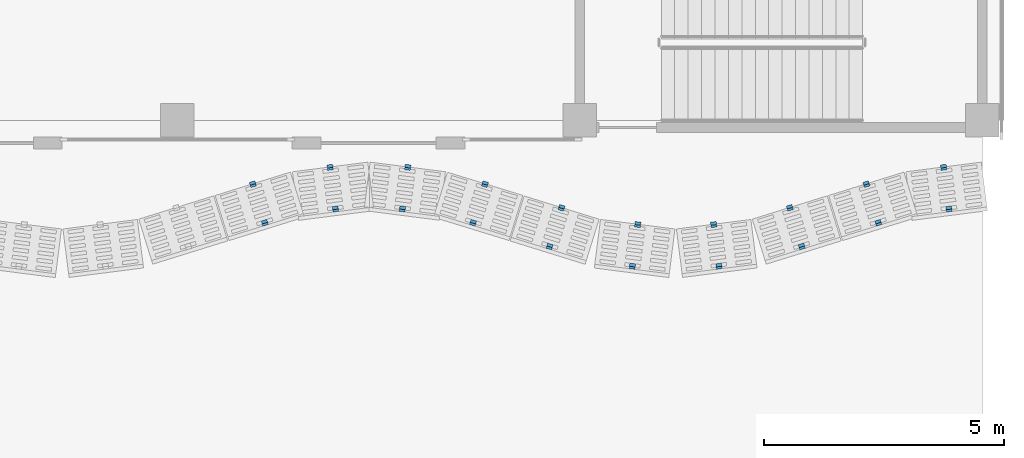
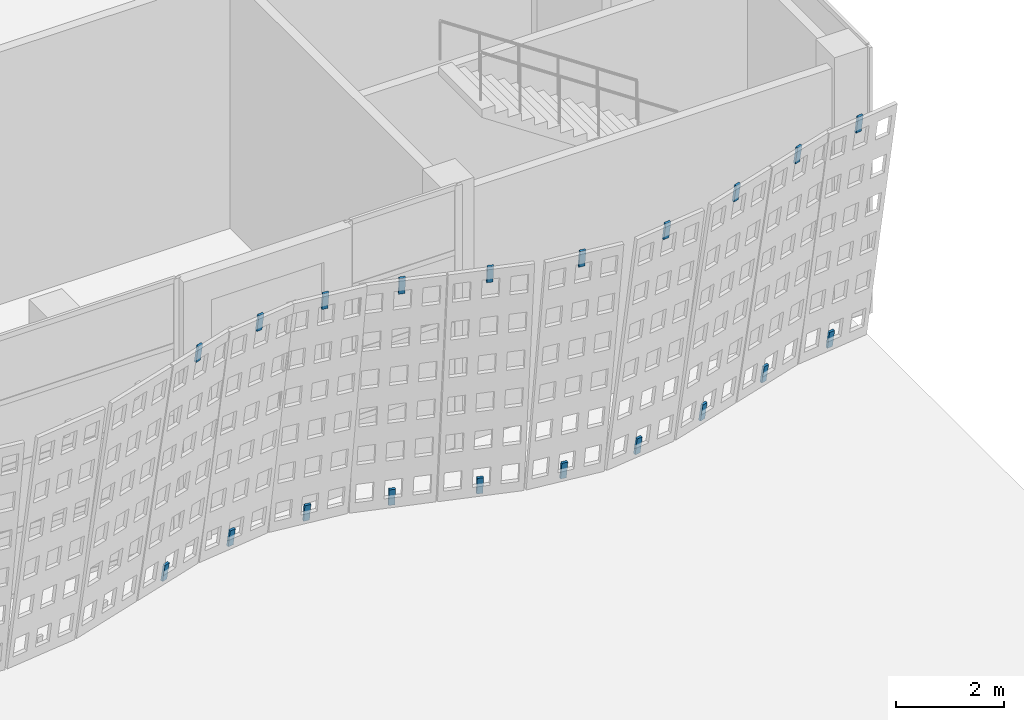
# One storey, part 147 of 210: 20 discrete accessories.
"""IFC4 building model written with IfcOpenShell, lengths in metres."""

from ifc_helpers import new_model, si_unit, direction, frame, origin, origin_2d, place, context, subcontext, project, spatial, rectangle, extrude, material, material_profile, profile_set, type_object, element, save


model = new_model("IFC4")

# Units and contexts
model_context = context("Model", 3, precision=1e-05, world=origin(), true_north=direction((0.0, 1.0)))
body_context = subcontext(model_context, "Body", "Model", "MODEL_VIEW")
ifc_project = project(units=[si_unit("LENGTHUNIT", "METRE"), si_unit("AREAUNIT", "SQUARE_METRE"), si_unit("VOLUMEUNIT", "CUBIC_METRE"), si_unit("PLANEANGLEUNIT", "RADIAN"), si_unit("MASSUNIT", "GRAM", prefix="KILO")], contexts=[model_context])

# Site, building, storey
site_placement = place(None, origin())
site = spatial("IfcSite", under=ifc_project, at=site_placement, CompositionType="ELEMENT")
building_placement = place(site_placement, origin())
building = spatial("IfcBuilding", under=site, at=building_placement, Name="Rain Tree Exposition and Congress Centre", CompositionType="ELEMENT")
storey_placement = place(building_placement, origin())
storey = spatial("IfcBuildingStorey", under=building, at=storey_placement, Name="L00", CompositionType="ELEMENT", Elevation=0.0)

# Discrete accessories
ifc_material = material(Name="Steel S355J2", Category="steel")
ifc_material_profile = material_profile(ifc_material, rectangle(XDim=0.1201171875, YDim=0.050048828125, at=origin_2d()), Name="Flat bar 120x50")
ifc_profile_set = profile_set([ifc_material_profile], Name="Steel S355J2")
discrete_accessory_type = type_object("IfcDiscreteAccessoryType", Name="Screen bracket 120x50", PredefinedType="BRACKET", material=ifc_profile_set)
for number, where, z_axis, x_axis, name in (
    (1, (253.81884765625, 73.489990234375, 5.35107421875), (0.046396386353, -0.148956819344, 0.987754646309), (0.954758063246, 0.297383659044, 0.0), "concourse/bracket/L00/1591t"),
    (2, (253.5693359375, 74.29638671875, 0.00390625), (0.046396386353, -0.148956819344, 0.987754646309), (0.954758063246, 0.297383659044, 0.0), "concourse/bracket/L00/1591b"),
):
    element("IfcDiscreteAccessory", number, at=place(storey_placement, frame(where, z_axis=z_axis, x_axis=x_axis)), inside=storey, type_object=discrete_accessory_type, Name=name, PredefinedType="BRACKET", context=body_context, shape_type="SweptSolid", body=[
        extrude(rectangle(XDim=0.1201171875, YDim=0.050048828125, at=origin_2d()), origin(), (0.0, 0.0, 1.0), 0.39990234375),
    ])
for number, where, z_axis, x_axis, name in (
    (3, (255.298095703125, 73.781005859375, 5.351318359375), (0.020749404626, -0.160502747552, 0.986817272972), (0.991746960377, 0.128210633661, 0.0), "concourse/bracket/L00/1601t"),
    (4, (255.186767578125, 74.650390625, 0.00390625), (0.020749404626, -0.160502747552, 0.986817272972), (0.991746960377, 0.128210633661, 0.0), "concourse/bracket/L00/1601b"),
    (5, (256.701904296875, 73.781005859375, 5.351318359375), (-0.020749404626, -0.160502747552, 0.986817272972), (0.991746960377, -0.128210633661, 0.0), "concourse/bracket/L00/1611t"),
    (6, (256.813232421875, 74.650390625, 0.00390625), (-0.020749404626, -0.160502747552, 0.986817272972), (0.991746960377, -0.128210633661, 0.0), "concourse/bracket/L00/1611b"),
):
    element("IfcDiscreteAccessory", number, at=place(storey_placement, frame(where, z_axis=z_axis, x_axis=x_axis)), inside=storey, type_object=discrete_accessory_type, Name=name, PredefinedType="BRACKET", context=body_context, shape_type="SweptSolid", body=[
        extrude(rectangle(XDim=0.1201171875, YDim=0.050048828125, at=origin_2d()), origin(), (0.0, 0.0, 1.0), 0.400146484375),
    ])
for number, where, z_axis, x_axis, name in (
    (7, (258.18115234375, 73.489990234375, 5.35107421875), (-0.046396386353, -0.148956819344, 0.987754646309), (0.954758063246, -0.297383659044, 0.0), "concourse/bracket/L00/1621t"),
    (8, (258.4306640625, 74.29638671875, 0.00390625), (-0.046396386353, -0.148956819344, 0.987754646309), (0.954758063246, -0.297383659044, 0.0), "concourse/bracket/L00/1621b"),
    (9, (259.77783203125, 72.99609375, 5.35107421875), (-0.045783024094, -0.149557878708, 0.987692439791), (0.956199955507, -0.292714272094, 0.0), "concourse/bracket/L00/1631t"),
    (10, (260.02734375, 73.802490234375, 0.00390625), (-0.046396386353, -0.148956819344, 0.987754646309), (0.954758063246, -0.297383659044, 0.0), "concourse/bracket/L00/1631b"),
):
    element("IfcDiscreteAccessory", number, at=place(storey_placement, frame(where, z_axis=z_axis, x_axis=x_axis)), inside=storey, type_object=discrete_accessory_type, Name=name, PredefinedType="BRACKET", context=body_context, shape_type="SweptSolid", body=[
        extrude(rectangle(XDim=0.1201171875, YDim=0.050048828125, at=origin_2d()), origin(), (0.0, 0.0, 1.0), 0.39990234375),
    ])
for number, where, z_axis, x_axis, name in (
    (11, (261.5, 72.586181640625, 5.351318359375), (-0.020139379294, -0.160504750127, 0.986829585384), (0.992219726556, -0.124499053142, 0.0), "concourse/bracket/L00/1641t"),
    (12, (261.611572265625, 73.45556640625, 0.00390625), (-0.020749404626, -0.160502747552, 0.986817272972), (0.991746960377, -0.128210633661, 0.0), "concourse/bracket/L00/1641b"),
    (13, (263.2998046875, 72.586181640625, 5.351318359375), (0.020749404626, -0.160502747552, 0.986817272972), (0.991746960377, 0.128210633661, 0.0), "concourse/bracket/L00/1651t"),
    (14, (263.1884765625, 73.45556640625, 0.00390625), (0.020749404626, -0.160502747552, 0.986817272972), (0.991746960377, 0.128210633661, 0.0), "concourse/bracket/L00/1651b"),
):
    element("IfcDiscreteAccessory", number, at=place(storey_placement, frame(where, z_axis=z_axis, x_axis=x_axis)), inside=storey, type_object=discrete_accessory_type, Name=name, PredefinedType="BRACKET", context=body_context, shape_type="SweptSolid", body=[
        extrude(rectangle(XDim=0.1201171875, YDim=0.050048828125, at=origin_2d()), origin(), (0.0, 0.0, 1.0), 0.400146484375),
    ])
for number, where, z_axis, x_axis, name in (
    (15, (265.022216796875, 72.99609375, 5.35107421875), (0.045783024094, -0.149557878708, 0.987692439791), (0.956199955507, 0.292714272094, 0.0), "concourse/bracket/L00/1661t"),
    (16, (264.772705078125, 73.802490234375, 0.00390625), (0.045787195948, -0.148961010819, 0.987782440593), (0.955863671221, 0.293810554678, 0.0), "concourse/bracket/L00/1661b"),
    (17, (266.618896484375, 73.489990234375, 5.35107421875), (0.045787195948, -0.148961010819, 0.987782440593), (0.955863671221, 0.293810554678, 0.0), "concourse/bracket/L00/1671t"),
    (18, (266.369384765625, 74.29638671875, 0.00390625), (0.045787195948, -0.148961010819, 0.987782440593), (0.955863671221, 0.293810554678, 0.0), "concourse/bracket/L00/1671b"),
):
    element("IfcDiscreteAccessory", number, at=place(storey_placement, frame(where, z_axis=z_axis, x_axis=x_axis)), inside=storey, type_object=discrete_accessory_type, Name=name, PredefinedType="BRACKET", context=body_context, shape_type="SweptSolid", body=[
        extrude(rectangle(XDim=0.1201171875, YDim=0.050048828125, at=origin_2d()), origin(), (0.0, 0.0, 1.0), 0.39990234375),
    ])
for number, where, z_axis, x_axis, name in (
    (19, (268.09814453125, 73.781005859375, 5.351318359375), (0.020749404626, -0.160502747552, 0.986817272972), (0.991746960377, 0.128210633661, 0.0), "concourse/bracket/L00/1681t"),
    (20, (267.98681640625, 74.650390625, 0.00390625), (0.020749404626, -0.160502747552, 0.986817272972), (0.991746960377, 0.128210633661, 0.0), "concourse/bracket/L00/1681b"),
):
    element("IfcDiscreteAccessory", number, at=place(storey_placement, frame(where, z_axis=z_axis, x_axis=x_axis)), inside=storey, type_object=discrete_accessory_type, Name=name, PredefinedType="BRACKET", context=body_context, shape_type="SweptSolid", body=[
        extrude(rectangle(XDim=0.1201171875, YDim=0.050048828125, at=origin_2d()), origin(), (0.0, 0.0, 1.0), 0.400146484375),
    ])

save(model, "model.ifc")
